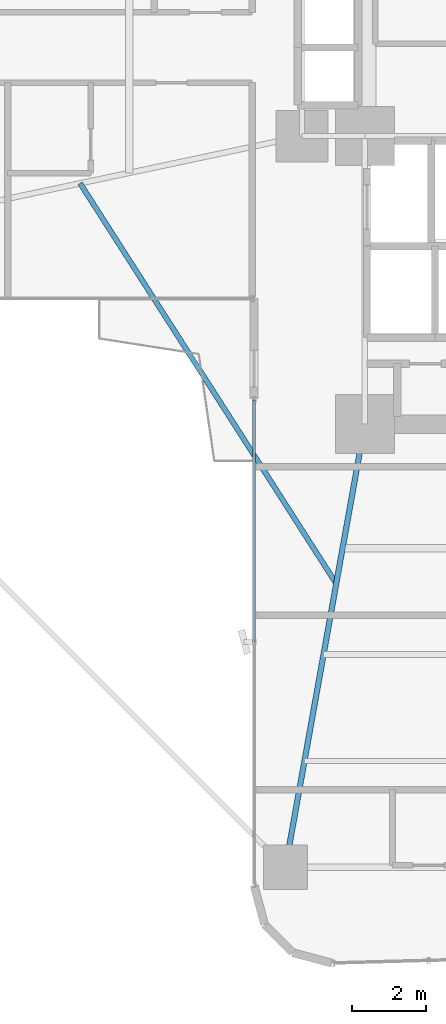
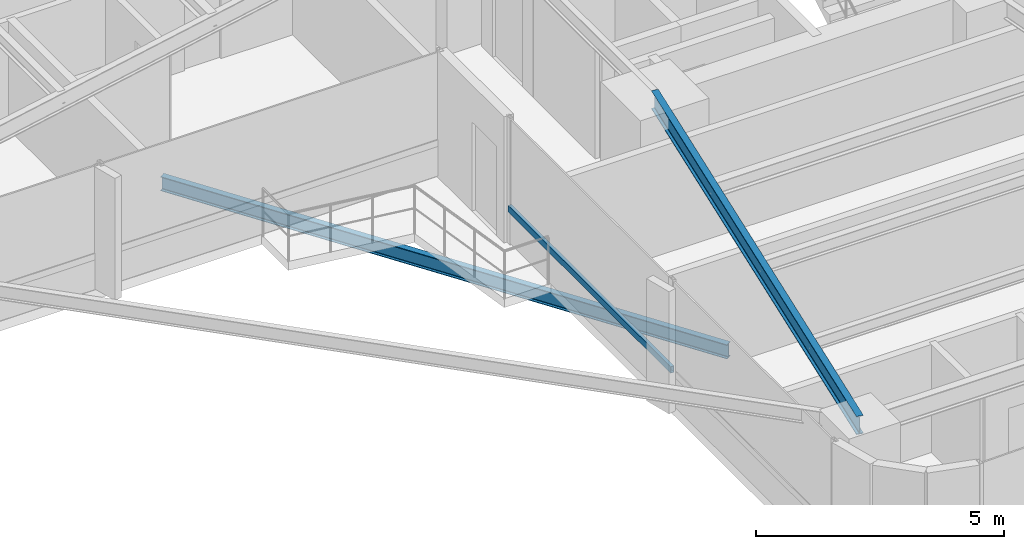
# One storey, part 3 of 25: 2 beams, 1 member, 1 element without a shape of its own.
"""IFC4 building model written with IfcOpenShell, lengths in metres."""

from ifc_helpers import new_model, si_unit, direction, frame, origin, origin_2d, place, context, subcontext, project, spatial, hollow_rectangle, i_section, extrude, source, transform, mapped, material, material_profile, profile_set, type_object, element, aggregate, save


model = new_model("IFC4")

# Units and contexts
model_context = context("Model", 3, precision=1e-05, world=origin(), true_north=direction((0.0, 1.0)))
body_context = subcontext(model_context, "Body", "Model", "MODEL_VIEW")
ifc_project = project(units=[si_unit("LENGTHUNIT", "METRE"), si_unit("AREAUNIT", "SQUARE_METRE"), si_unit("VOLUMEUNIT", "CUBIC_METRE"), si_unit("PLANEANGLEUNIT", "RADIAN"), si_unit("MASSUNIT", "GRAM", prefix="KILO")], contexts=[model_context])

# Site, building, storey
site_placement = place(None, origin())
site = spatial("IfcSite", under=ifc_project, at=site_placement, CompositionType="ELEMENT")
building_placement = place(site_placement, origin())
building = spatial("IfcBuilding", under=site, at=building_placement, Name="Sahyath Konkavel Grand Hotel", CompositionType="ELEMENT")
storey_placement = place(building_placement, frame((0.0, 0.0, 54.39990234375)))
storey = spatial("IfcBuildingStorey", under=building, at=storey_placement, Name="L14", CompositionType="ELEMENT", Elevation=54.39990234375)

# Beam
ifc_material_1 = material(Name="Steel E350", Category="steel")
ifc_material_profile_1 = material_profile(ifc_material_1, i_section(OverallWidth=0.14990234375, OverallDepth=0.449951171875, WebThickness=0.009521484375, FlangeThickness=0.017333984375, FilletRadius=0.014892578125, at=origin_2d()), Name="ISMB 450")
ifc_profile_set_1 = profile_set([ifc_material_profile_1], Name="Steel E350")
beam_type_1 = type_object("IfcBeamType", Name="BM-ISMB450", PredefinedType="BEAM", material=ifc_profile_set_1)
shared_shape_1 = source(origin(), body_context, "Body", "SweptSolid", [
    extrude(i_section(OverallWidth=0.14990234375, OverallDepth=0.449951171875, WebThickness=0.009521484375, FlangeThickness=0.017333984375, FilletRadius=0.014892578125, at=origin_2d()), origin(), (0.0, 0.0, 1.0), 12.191162109375),
])
beam_1_placement = place(storey_placement, frame((-3.800048828125, -10.199951171875, 2.885009765625), z_axis=(-0.176350650305, -0.984327409014, 0.0), x_axis=(0.984327409014, -0.176350650305, 0.0)))
element("IfcBeam", 1, at=beam_1_placement, inside=storey, type_object=beam_type_1, Name="L14 Cruciform Radial Girder SA", PredefinedType="BEAM", context=body_context, shape_type="MappedRepresentation", body=[
    mapped(shared_shape_1, transform((0.0, 0.0, 0.0), scale=1.0)),
])

# Curtain wall, member
ifc_material_2 = material(Name="Anodised Bronze Aluminium & Low-E Glazing", Category="aluminium")
curtain_wall_type = type_object("IfcCurtainWallType", Name="CW-ZONE1", PredefinedType="NOTDEFINED", material=ifc_material_2)
curtain_wall_placement = place(storey_placement, origin())
curtain_wall = element("IfcCurtainWall", 2, at=curtain_wall_placement, inside=storey, type_object=curtain_wall_type, Name="L14 Unitised Curtain Wall F24", PredefinedType="NOTDEFINED")
ifc_material_3 = material(Name="Anodised Bronze Aluminium", Category="aluminium")
ifc_material_profile_2 = material_profile(ifc_material_3, hollow_rectangle(XDim=0.080078125, YDim=0.159912109375, WallThickness=0.006103515625, at=origin_2d()), Name="RHS 160x80x6")
ifc_profile_set_2 = profile_set([ifc_material_profile_2], Name="Anodised Bronze Aluminium")
member_type = type_object("IfcMemberType", Name="CW-TRN-160", PredefinedType="USERDEFINED", material=ifc_profile_set_2)
shared_shape_2 = source(origin(), body_context, "Body", "SweptSolid", [
    extrude(hollow_rectangle(XDim=0.080078125, YDim=0.159912109375, WallThickness=0.006103515625, at=origin_2d()), origin(), (0.0, 0.0, 1.0), 6.56005859375),
])
member_placement = place(storey_placement, frame((-6.800048828125, -9.5400390625, 0.85009765625), z_axis=(0.0, -1.0, 0.0), x_axis=(1.0, 0.0, 0.0)))
member = element("IfcMember", 3, at=member_placement, type_object=member_type, Name="L14 Curtain Wall Transom F24-0-spandrel", ObjectType="TRANSOM", PredefinedType="USERDEFINED", context=body_context, shape_type="MappedRepresentation", body=[
    mapped(shared_shape_2, transform((0.0, 0.0, 0.0), scale=1.0)),
])
aggregate(curtain_wall, [member])

# Beam
ifc_material_profile_3 = material_profile(ifc_material_1, i_section(OverallWidth=0.139892578125, OverallDepth=0.35009765625, WebThickness=0.008056640625, FlangeThickness=0.01416015625, FilletRadius=0.013916015625, at=origin_2d()), Name="ISMB 350")
ifc_profile_set_3 = profile_set([ifc_material_profile_3], Name="Steel E350")
beam_type_2 = type_object("IfcBeamType", Name="BM-BALC-CANT", PredefinedType="BEAM", material=ifc_profile_set_3)
shared_shape_3 = source(origin(), body_context, "Body", "SweptSolid", [
    extrude(i_section(OverallWidth=0.139892578125, OverallDepth=0.35009765625, WebThickness=0.008056640625, FlangeThickness=0.01416015625, FilletRadius=0.013916015625, at=origin_2d()), origin(), (0.0, 0.0, 1.0), 12.871826171875),
])
beam_2_placement = place(storey_placement, frame((-11.511962890625, -3.677978515625, -0.414794921875), z_axis=(0.539003102535, -0.842303778608, 0.0), x_axis=(0.842303778608, 0.539003102535, 0.0)))
element("IfcBeam", 4, at=beam_2_placement, inside=storey, type_object=beam_type_2, Name="L14 Balcony Cantilever Support Beam SW", PredefinedType="BEAM", context=body_context, shape_type="MappedRepresentation", body=[
    mapped(shared_shape_3, transform((0.0, 0.0, 0.0), scale=1.0)),
])

save(model, "model.ifc")
